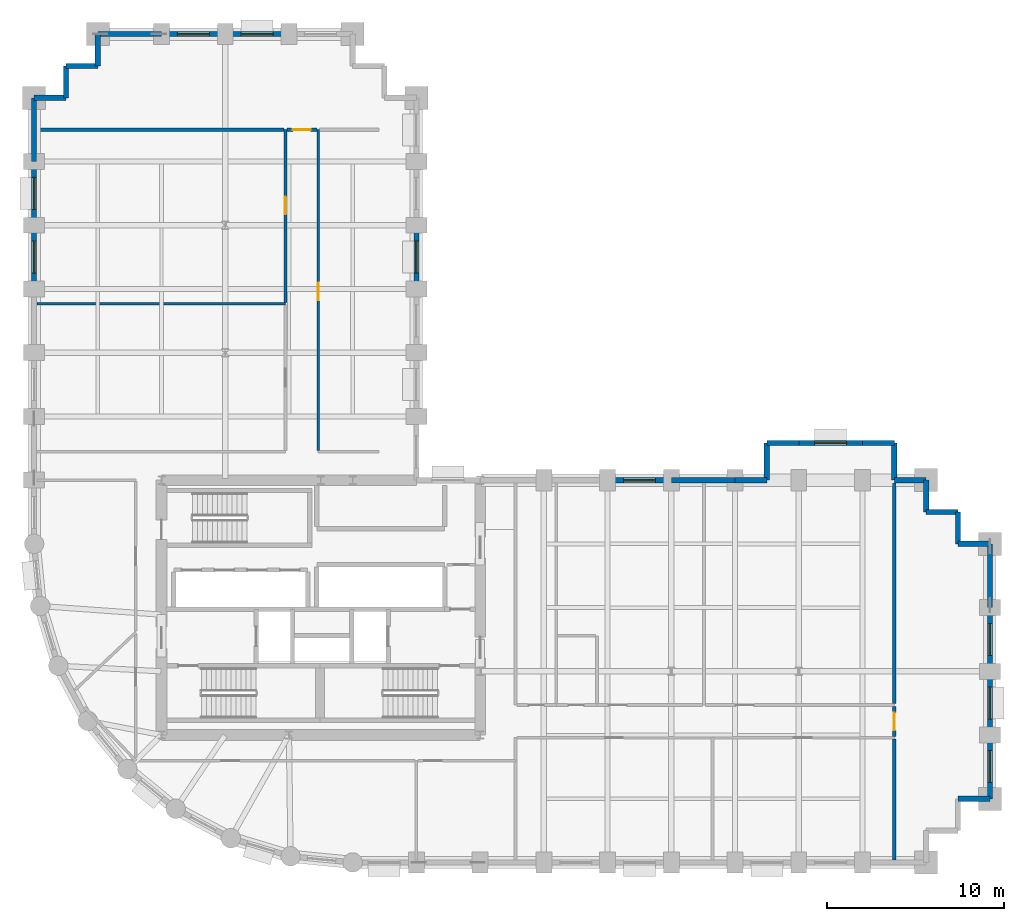
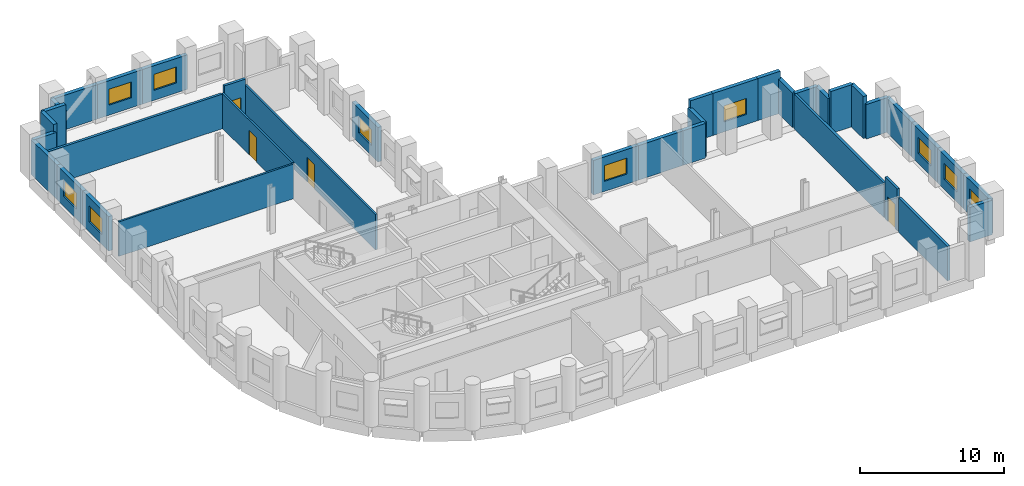
# One storey, part 6 of 9: 37 walls, 10 windows, 4 doors, 14 openings.
"""IFC4 building model written with IfcOpenShell, lengths in metres."""

from ifc_helpers import new_model, si_unit, direction, frame, frame_2d, origin, place, context, subcontext, project, spatial, rectangle, extrude, material, layer, layer_set, type_object, element, fill, save


model = new_model("IFC4")

# Units and contexts
model_context = context("Model", 3, precision=1e-05, world=origin(), true_north=direction((0.0, 1.0)))
body_context = subcontext(model_context, "Body", "Model", "MODEL_VIEW")
ifc_project = project(units=[si_unit("LENGTHUNIT", "METRE"), si_unit("AREAUNIT", "SQUARE_METRE"), si_unit("VOLUMEUNIT", "CUBIC_METRE"), si_unit("PLANEANGLEUNIT", "RADIAN"), si_unit("MASSUNIT", "GRAM", prefix="KILO")], contexts=[model_context])

# Site, building, storey
site_placement = place(None, origin())
site = spatial("IfcSite", under=ifc_project, at=site_placement, CompositionType="ELEMENT")
building_placement = place(site_placement, origin())
building = spatial("IfcBuilding", under=site, at=building_placement, Name="Solnavia Interchange Tower", CompositionType="ELEMENT")
storey_placement = place(building_placement, frame((0.0, 0.0, 70.800048828125)))
storey = spatial("IfcBuildingStorey", under=building, at=storey_placement, Name="L17", CompositionType="ELEMENT", Elevation=70.800048828125)

# Walls
ifc_material_1 = material(Name="Gypsum Acoustic Twin-Stud & Mineral Wool", Category="gypsum")
ifc_layer_1 = layer(ifc_material_1, 0.199951171875)
ifc_layer_set_1 = layer_set([ifc_layer_1], Name="Gypsum Acoustic Twin-Stud & Mineral Wool")
wall_type_1 = type_object("IfcWallType", Name="Wall-ApartmentParty-200", PredefinedType="PARTITIONING", material=ifc_layer_set_1)
wall_1_placement = place(storey_placement, frame((55.800048828125, 3.75390625, 0.0), z_axis=(0.0, 0.0, 1.0), x_axis=(0.0, 1.0, 0.0)))
element("IfcWall", 1, at=wall_1_placement, inside=storey, type_object=wall_type_1, Name="PTW-L17-22 Interior partition wall", PredefinedType="PARTITIONING", context=body_context, shape_type="SweptSolid", body=[
    extrude(rectangle(XDim=6.817138671875, YDim=0.199951171875, at=frame_2d((3.40869140625, 0.0))), origin(), (0.0, 0.0, 1.0), 2.929931640625),
])
wall_2_placement = place(storey_placement, frame((55.800048828125, 12.5791015625, 0.0), z_axis=(0.0, 0.0, 1.0), x_axis=(0.0, 1.0, 0.0)))
element("IfcWall", 2, at=wall_2_placement, inside=storey, type_object=wall_type_1, Name="PTW-L17-23 Interior partition wall", PredefinedType="PARTITIONING", context=body_context, shape_type="SweptSolid", body=[
    extrude(rectangle(XDim=12.466796875, YDim=0.199951171875, at=frame_2d((6.2333984375, 0.0))), origin(), (0.0, 0.0, 1.0), 2.929931640625),
])

# Wall, opening, door
wall_3_placement = place(storey_placement, frame((55.800048828125, 10.72900390625, 0.0), z_axis=(0.0, 0.0, 1.0), x_axis=(0.0, 1.0, 0.0)))
wall_3 = element("IfcWall", 3, at=wall_3_placement, inside=storey, type_object=wall_type_1, Name="PTW-L17-24 Interior partition wall", PredefinedType="PARTITIONING", context=body_context, shape_type="SweptSolid", body=[
    extrude(rectangle(XDim=1.69189453125, YDim=0.199951171875, at=frame_2d((0.845947265625, 0.0))), origin(), (0.0, 0.0, 1.0), 3.56494140625),
])
opening_1_placement = place(wall_3_placement, frame((0.339111328125, 0.0, 0.0)))
opening_1 = element("IfcOpeningElement", 4, at=opening_1_placement, cuts=wall_3, Name="Opening DR-06", PredefinedType="OPENING", context=body_context, shape_type="SweptSolid", body=[
    extrude(rectangle(XDim=1.0, YDim=2.10009765625, at=frame_2d((0.5, 1.050048828125))), frame((0.0, 0.10986328125, 0.0), z_axis=(0.0, -1.0, 0.0), x_axis=(1.0, 0.0, 0.0)), (0.0, 0.0, 1.0), 0.219970703125),
])
ifc_material_2 = material(Name="Engineered Timber Acoustic Fire Door", Category="wood")
door_type_1 = type_object("IfcDoorType", Name="Door-FlatEntry-1000x2100", OperationType="SINGLE_SWING_LEFT", PredefinedType="DOOR", material=ifc_material_2)
door_1_placement = place(opening_1_placement, origin())
door_1 = element("IfcDoor", 5, at=door_1_placement, inside=storey, type_object=door_type_1, Name="DR-L17-11 Interior room door", OperationType="SINGLE_SWING_RIGHT", OverallHeight=2.10009765625, OverallWidth=1.0, PredefinedType="DOOR", context=body_context, shape_type="SweptSolid", body=[
    extrude(rectangle(XDim=1.0, YDim=2.10009765625, at=frame_2d((0.5, 1.050048828125))), frame((0.0, 0.02490234375, 0.0), z_axis=(0.0, -1.0, 0.0), x_axis=(1.0, 0.0, 0.0)), (0.0, 0.0, 1.0), 0.050048828125),
])
fill(opening_1, door_1)

# Wall
wall_4_placement = place(storey_placement, frame((7.35400390625, 45.0, 0.0), z_axis=(0.0, 0.0, 1.0), x_axis=(1.0, 0.0, 0.0)))
element("IfcWall", 6, at=wall_4_placement, inside=storey, type_object=wall_type_1, Name="PTW-L17-31 Interior partition wall", PredefinedType="PARTITIONING", context=body_context, shape_type="SweptSolid", body=[
    extrude(rectangle(XDim=13.967041015625, YDim=0.199951171875, at=frame_2d((6.9833984375, 0.0))), origin(), (0.0, 0.0, 1.0), 2.929931640625),
])

# Wall, opening, door
wall_5_placement = place(storey_placement, frame((21.47900390625, 45.0, 0.0), z_axis=(0.0, 0.0, 1.0), x_axis=(1.0, 0.0, 0.0)))
wall_5 = element("IfcWall", 7, at=wall_5_placement, inside=storey, type_object=wall_type_1, Name="PTW-L17-33 Interior partition wall", PredefinedType="PARTITIONING", context=body_context, shape_type="SweptSolid", body=[
    extrude(rectangle(XDim=1.69189453125, YDim=0.199951171875, at=frame_2d((0.845947265625, 0.0))), origin(), (0.0, 0.0, 1.0), 3.56494140625),
])
opening_2_placement = place(wall_5_placement, frame((0.339111328125, 0.0, 0.0)))
opening_2 = element("IfcOpeningElement", 8, at=opening_2_placement, cuts=wall_5, Name="Opening DR-06", PredefinedType="OPENING", context=body_context, shape_type="SweptSolid", body=[
    extrude(rectangle(XDim=1.0, YDim=2.10009765625, at=frame_2d((0.5, 1.050048828125))), frame((0.0, 0.10986328125, 0.0), z_axis=(0.0, -1.0, 0.0), x_axis=(1.0, 0.0, 0.0)), (0.0, 0.0, 1.0), 0.219970703125),
])
door_2_placement = place(opening_2_placement, origin())
door_2 = element("IfcDoor", 9, at=door_2_placement, inside=storey, type_object=door_type_1, Name="DR-L17-15 Interior room door", OperationType="SINGLE_SWING_LEFT", OverallHeight=2.10009765625, OverallWidth=1.0, PredefinedType="DOOR", context=body_context, shape_type="SweptSolid", body=[
    extrude(rectangle(XDim=1.0, YDim=2.10009765625, at=frame_2d((0.5, 1.050048828125))), frame((0.0, 0.02490234375, 0.0), z_axis=(0.0, -1.0, 0.0), x_axis=(1.0, 0.0, 0.0)), (0.0, 0.0, 1.0), 0.050048828125),
])
fill(opening_2, door_2)

# Wall
ifc_material_3 = material(Name="Concrete C40/50", Category="concrete")
ifc_layer_2 = layer(ifc_material_3, 0.300048828125)
ifc_layer_set_2 = layer_set([ifc_layer_2], Name="Concrete C40/50")
wall_type_2 = type_object("IfcWallType", Name="Wall-ExtSpandrel-300", PredefinedType="STANDARD", material=ifc_layer_set_2)
wall_6_placement = place(storey_placement, frame((61.199951171875, 7.199951171875, 0.0), z_axis=(0.0, 0.0, 1.0), x_axis=(-1.0, 0.0, 0.0)))
element("IfcWall", 10, at=wall_6_placement, inside=storey, type_object=wall_type_2, Name="EXW-L17-13 Exterior precast spandrel wall", PredefinedType="STANDARD", context=body_context, shape_type="SweptSolid", body=[
    extrude(rectangle(XDim=1.800048828125, YDim=0.300048828125, at=frame_2d((0.89990234375, 0.0))), origin(), (0.0, 0.0, 1.0), 2.929931640625),
])

# Wall, opening, window
wall_7_placement = place(storey_placement, frame((61.199951171875, 10.800048828125, 0.0), z_axis=(0.0, 0.0, 1.0), x_axis=(0.0, -1.0, 0.0)))
wall_7 = element("IfcWall", 11, at=wall_7_placement, inside=storey, type_object=wall_type_2, Name="EXW-L17-14 Exterior precast spandrel wall", PredefinedType="STANDARD", context=body_context, shape_type="SweptSolid", body=[
    extrude(rectangle(XDim=3.60009765625, YDim=0.300048828125, at=frame_2d((1.800048828125, 0.0))), origin(), (0.0, 0.0, 1.0), 2.929931640625),
])
opening_3_placement = place(wall_7_placement, frame((0.875, 0.0, 0.85009765625)))
opening_3 = element("IfcOpeningElement", 12, at=opening_3_placement, cuts=wall_7, Name="Opening WIN-02", PredefinedType="OPENING", context=body_context, shape_type="SweptSolid", body=[
    extrude(rectangle(XDim=1.800048828125, YDim=1.35009765625, at=frame_2d((0.89990234375, 0.675048828125))), frame((0.0, 0.16015625, 0.0), z_axis=(0.0, -1.0, 0.0), x_axis=(1.0, 0.0, 0.0)), (0.0, 0.0, 1.0), 0.320068359375),
])
ifc_material_4 = material(Name="Thermal-Break Aluminium & Low-E Glass", Category="aluminium")
window_type = type_object("IfcWindowType", Name="Window-Ribbon-1800x1350", PartitioningType="SINGLE_PANEL", PredefinedType="WINDOW", material=ifc_material_4)
window_1_placement = place(opening_3_placement, origin())
window_1 = element("IfcWindow", 13, at=window_1_placement, inside=storey, type_object=window_type, Name="WIN-L17-14 Facade ribbon window", OverallHeight=1.35009765625, OverallWidth=1.800048828125, PartitioningType="SINGLE_PANEL", PredefinedType="WINDOW", context=body_context, shape_type="SweptSolid", body=[
    extrude(rectangle(XDim=1.800048828125, YDim=1.35009765625, at=frame_2d((0.89990234375, 0.675048828125))), frame((0.0, 0.030029296875, 0.0), z_axis=(0.0, -1.0, 0.0), x_axis=(1.0, 0.0, 0.0)), (0.0, 0.0, 1.0), 0.06005859375),
])
fill(opening_3, window_1)

wall_8_placement = place(storey_placement, frame((61.199951171875, 14.39990234375, 0.0), z_axis=(0.0, 0.0, 1.0), x_axis=(0.0, -1.0, 0.0)))
wall_8 = element("IfcWall", 14, at=wall_8_placement, inside=storey, type_object=wall_type_2, Name="EXW-L17-15 Exterior precast spandrel wall", PredefinedType="STANDARD", context=body_context, shape_type="SweptSolid", body=[
    extrude(rectangle(XDim=3.599853515625, YDim=0.300048828125, at=frame_2d((1.7998046875, 0.0))), origin(), (0.0, 0.0, 1.0), 2.929931640625),
])
opening_4_placement = place(wall_8_placement, frame((0.89990234375, 0.0, 0.85009765625)))
opening_4 = element("IfcOpeningElement", 15, at=opening_4_placement, cuts=wall_8, Name="Opening WIN-02", PredefinedType="OPENING", context=body_context, shape_type="SweptSolid", body=[
    extrude(rectangle(XDim=1.800048828125, YDim=1.35009765625, at=frame_2d((0.89990234375, 0.675048828125))), frame((0.0, 0.16015625, 0.0), z_axis=(0.0, -1.0, 0.0), x_axis=(1.0, 0.0, 0.0)), (0.0, 0.0, 1.0), 0.320068359375),
])
window_2_placement = place(opening_4_placement, origin())
window_2 = element("IfcWindow", 16, at=window_2_placement, inside=storey, type_object=window_type, Name="WIN-L17-15 Facade ribbon window", OverallHeight=1.35009765625, OverallWidth=1.800048828125, PartitioningType="SINGLE_PANEL", PredefinedType="WINDOW", context=body_context, shape_type="SweptSolid", body=[
    extrude(rectangle(XDim=1.800048828125, YDim=1.35009765625, at=frame_2d((0.89990234375, 0.675048828125))), frame((0.0, 0.030029296875, 0.0), z_axis=(0.0, -1.0, 0.0), x_axis=(1.0, 0.0, 0.0)), (0.0, 0.0, 1.0), 0.06005859375),
])
fill(opening_4, window_2)

wall_9_placement = place(storey_placement, frame((61.199951171875, 18.0, 0.0), z_axis=(0.0, 0.0, 1.0), x_axis=(0.0, -1.0, 0.0)))
wall_9 = element("IfcWall", 17, at=wall_9_placement, inside=storey, type_object=wall_type_2, Name="EXW-L17-16 Exterior precast spandrel wall", PredefinedType="STANDARD", context=body_context, shape_type="SweptSolid", body=[
    extrude(rectangle(XDim=3.60009765625, YDim=0.300048828125, at=frame_2d((1.800048828125, 0.0))), origin(), (0.0, 0.0, 1.0), 2.929931640625),
])
opening_5_placement = place(wall_9_placement, frame((0.89990234375, 0.0, 0.85009765625)))
opening_5 = element("IfcOpeningElement", 18, at=opening_5_placement, cuts=wall_9, Name="Opening WIN-02", PredefinedType="OPENING", context=body_context, shape_type="SweptSolid", body=[
    extrude(rectangle(XDim=1.800048828125, YDim=1.35009765625, at=frame_2d((0.89990234375, 0.675048828125))), frame((0.0, 0.16015625, 0.0), z_axis=(0.0, -1.0, 0.0), x_axis=(1.0, 0.0, 0.0)), (0.0, 0.0, 1.0), 0.320068359375),
])
window_3_placement = place(opening_5_placement, origin())
window_3 = element("IfcWindow", 19, at=window_3_placement, inside=storey, type_object=window_type, Name="WIN-L17-16 Facade ribbon window", OverallHeight=1.35009765625, OverallWidth=1.800048828125, PartitioningType="SINGLE_PANEL", PredefinedType="WINDOW", context=body_context, shape_type="SweptSolid", body=[
    extrude(rectangle(XDim=1.800048828125, YDim=1.35009765625, at=frame_2d((0.89990234375, 0.675048828125))), frame((0.0, 0.030029296875, 0.0), z_axis=(0.0, -1.0, 0.0), x_axis=(1.0, 0.0, 0.0)), (0.0, 0.0, 1.0), 0.06005859375),
])
fill(opening_5, window_3)

# Walls
wall_10_placement = place(storey_placement, frame((61.199951171875, 21.60009765625, 0.0), z_axis=(0.0, 0.0, 1.0), x_axis=(0.0, -1.0, 0.0)))
element("IfcWall", 20, at=wall_10_placement, inside=storey, type_object=wall_type_2, Name="EXW-L17-17 Exterior precast spandrel wall", PredefinedType="STANDARD", context=body_context, shape_type="SweptSolid", body=[
    extrude(rectangle(XDim=3.60009765625, YDim=0.300048828125, at=frame_2d((1.800048828125, 0.0))), origin(), (0.0, 0.0, 1.0), 2.929931640625),
])
wall_11_placement = place(storey_placement, frame((61.199951171875, 21.60009765625, 0.0), z_axis=(0.0, 0.0, 1.0), x_axis=(-1.0, 0.0, 0.0)))
element("IfcWall", 21, at=wall_11_placement, inside=storey, type_object=wall_type_2, Name="EXW-L17-18 Exterior precast spandrel wall", PredefinedType="STANDARD", context=body_context, shape_type="SweptSolid", body=[
    extrude(rectangle(XDim=1.800048828125, YDim=0.300048828125, at=frame_2d((0.89990234375, 0.0))), origin(), (0.0, 0.0, 1.0), 2.929931640625),
])
for number, where, z_axis, x_axis, name in (
    (22, (59.39990234375, 23.39990234375, 0.0), (0.0, 0.0, 1.0), (0.0, -1.0, 0.0), "EXW-L17-19 Exterior precast spandrel wall"),
    (23, (57.60009765625, 23.39990234375, 0.0), (0.0, 0.0, 1.0), (1.0, 0.0, 0.0), "EXW-L17-20 Exterior precast spandrel wall"),
):
    element("IfcWall", number, at=place(storey_placement, frame(where, z_axis=z_axis, x_axis=x_axis)), inside=storey, type_object=wall_type_2, Name=name, PredefinedType="STANDARD", context=body_context, shape_type="SweptSolid", body=[
        extrude(rectangle(XDim=1.7998046875, YDim=0.300048828125, at=frame_2d((0.89990234375, 0.0))), origin(), (0.0, 0.0, 1.0), 3.56494140625),
    ])
for number, where, z_axis, x_axis, name in (
    (24, (57.60009765625, 25.199951171875, 0.0), (0.0, 0.0, 1.0), (0.0, -1.0, 0.0), "EXW-L17-21 Exterior precast spandrel wall"),
    (25, (55.800048828125, 25.199951171875, 0.0), (0.0, 0.0, 1.0), (1.0, 0.0, 0.0), "EXW-L17-22 Exterior precast spandrel wall"),
):
    element("IfcWall", number, at=place(storey_placement, frame(where, z_axis=z_axis, x_axis=x_axis)), inside=storey, type_object=wall_type_2, Name=name, PredefinedType="STANDARD", context=body_context, shape_type="SweptSolid", body=[
        extrude(rectangle(XDim=1.800048828125, YDim=0.300048828125, at=frame_2d((0.89990234375, 0.0))), origin(), (0.0, 0.0, 1.0), 2.929931640625),
    ])
wall_12_placement = place(storey_placement, frame((55.800048828125, 27.300048828125, 0.0), z_axis=(0.0, 0.0, 1.0), x_axis=(0.0, -1.0, 0.0)))
element("IfcWall", 26, at=wall_12_placement, inside=storey, type_object=wall_type_2, Name="EXW-L17-23 Exterior precast spandrel wall", PredefinedType="STANDARD", context=body_context, shape_type="SweptSolid", body=[
    extrude(rectangle(XDim=2.10009765625, YDim=0.300048828125, at=frame_2d((1.050048828125, 0.0))), origin(), (0.0, 0.0, 1.0), 2.929931640625),
])
wall_13_placement = place(storey_placement, frame((54.0, 27.300048828125, 0.0), z_axis=(0.0, 0.0, 1.0), x_axis=(1.0, 0.0, 0.0)))
element("IfcWall", 27, at=wall_13_placement, inside=storey, type_object=wall_type_2, Name="EXW-L17-24 Exterior precast spandrel wall", PredefinedType="STANDARD", context=body_context, shape_type="SweptSolid", body=[
    extrude(rectangle(XDim=1.800048828125, YDim=0.300048828125, at=frame_2d((0.89990234375, 0.0))), origin(), (0.0, 0.0, 1.0), 3.56494140625),
])

# Wall, opening, window
wall_14_placement = place(storey_placement, frame((50.39990234375, 27.300048828125, 0.0), z_axis=(0.0, 0.0, 1.0), x_axis=(1.0, 0.0, 0.0)))
wall_14 = element("IfcWall", 28, at=wall_14_placement, inside=storey, type_object=wall_type_2, Name="EXW-L17-25 Exterior precast spandrel wall", PredefinedType="STANDARD", context=body_context, shape_type="SweptSolid", body=[
    extrude(rectangle(XDim=3.60009765625, YDim=0.300048828125, at=frame_2d((1.800048828125, 0.0))), origin(), (0.0, 0.0, 1.0), 3.56494140625),
])
opening_6_placement = place(wall_14_placement, frame((0.89990234375, 0.0, 0.85009765625)))
opening_6 = element("IfcOpeningElement", 29, at=opening_6_placement, cuts=wall_14, Name="Opening WIN-02", PredefinedType="OPENING", context=body_context, shape_type="SweptSolid", body=[
    extrude(rectangle(XDim=1.800048828125, YDim=1.35009765625, at=frame_2d((0.89990234375, 0.675048828125))), frame((0.0, 0.16015625, 0.0), z_axis=(0.0, -1.0, 0.0), x_axis=(1.0, 0.0, 0.0)), (0.0, 0.0, 1.0), 0.320068359375),
])
window_4_placement = place(opening_6_placement, origin())
window_4 = element("IfcWindow", 30, at=window_4_placement, inside=storey, type_object=window_type, Name="WIN-L17-25 Facade ribbon window", OverallHeight=1.35009765625, OverallWidth=1.800048828125, PartitioningType="SINGLE_PANEL", PredefinedType="WINDOW", context=body_context, shape_type="SweptSolid", body=[
    extrude(rectangle(XDim=1.800048828125, YDim=1.35009765625, at=frame_2d((0.89990234375, 0.675048828125))), frame((0.0, 0.030029296875, 0.0), z_axis=(0.0, -1.0, 0.0), x_axis=(1.0, 0.0, 0.0)), (0.0, 0.0, 1.0), 0.06005859375),
])
fill(opening_6, window_4)

# Walls
wall_15_placement = place(storey_placement, frame((48.60009765625, 27.300048828125, 0.0), z_axis=(0.0, 0.0, 1.0), x_axis=(1.0, 0.0, 0.0)))
element("IfcWall", 31, at=wall_15_placement, inside=storey, type_object=wall_type_2, Name="EXW-L17-26 Exterior precast spandrel wall", PredefinedType="STANDARD", context=body_context, shape_type="SweptSolid", body=[
    extrude(rectangle(XDim=1.7998046875, YDim=0.300048828125, at=frame_2d((0.89990234375, 0.0))), origin(), (0.0, 0.0, 1.0), 3.56494140625),
])
wall_16_placement = place(storey_placement, frame((48.60009765625, 27.300048828125, 0.0), z_axis=(0.0, 0.0, 1.0), x_axis=(0.0, -1.0, 0.0)))
element("IfcWall", 32, at=wall_16_placement, inside=storey, type_object=wall_type_2, Name="EXW-L17-27 Exterior precast spandrel wall", PredefinedType="STANDARD", context=body_context, shape_type="SweptSolid", body=[
    extrude(rectangle(XDim=2.10009765625, YDim=0.300048828125, at=frame_2d((1.050048828125, 0.0))), origin(), (0.0, 0.0, 1.0), 2.929931640625),
])
wall_17_placement = place(storey_placement, frame((46.800048828125, 25.199951171875, 0.0), z_axis=(0.0, 0.0, 1.0), x_axis=(1.0, 0.0, 0.0)))
element("IfcWall", 33, at=wall_17_placement, inside=storey, type_object=wall_type_2, Name="EXW-L17-28 Exterior precast spandrel wall", PredefinedType="STANDARD", context=body_context, shape_type="SweptSolid", body=[
    extrude(rectangle(XDim=1.800048828125, YDim=0.300048828125, at=frame_2d((0.89990234375, 0.0))), origin(), (0.0, 0.0, 1.0), 2.929931640625),
])
wall_18_placement = place(storey_placement, frame((43.199951171875, 25.199951171875, 0.0), z_axis=(0.0, 0.0, 1.0), x_axis=(1.0, 0.0, 0.0)))
element("IfcWall", 34, at=wall_18_placement, inside=storey, type_object=wall_type_2, Name="EXW-L17-29 Exterior precast spandrel wall", PredefinedType="STANDARD", context=body_context, shape_type="SweptSolid", body=[
    extrude(rectangle(XDim=3.60009765625, YDim=0.300048828125, at=frame_2d((1.800048828125, 0.0))), origin(), (0.0, 0.0, 1.0), 2.929931640625),
])

# Wall, opening, window
wall_19_placement = place(storey_placement, frame((39.60009765625, 25.199951171875, 0.0), z_axis=(0.0, 0.0, 1.0), x_axis=(1.0, 0.0, 0.0)))
wall_19 = element("IfcWall", 35, at=wall_19_placement, inside=storey, type_object=wall_type_2, Name="EXW-L17-30 Exterior precast spandrel wall", PredefinedType="STANDARD", context=body_context, shape_type="SweptSolid", body=[
    extrude(rectangle(XDim=3.599853515625, YDim=0.300048828125, at=frame_2d((1.7998046875, 0.0))), origin(), (0.0, 0.0, 1.0), 2.929931640625),
])
opening_7_placement = place(wall_19_placement, frame((0.89990234375, 0.0, 0.85009765625)))
opening_7 = element("IfcOpeningElement", 36, at=opening_7_placement, cuts=wall_19, Name="Opening WIN-02", PredefinedType="OPENING", context=body_context, shape_type="SweptSolid", body=[
    extrude(rectangle(XDim=1.800048828125, YDim=1.35009765625, at=frame_2d((0.89990234375, 0.675048828125))), frame((0.0, 0.16015625, 0.0), z_axis=(0.0, -1.0, 0.0), x_axis=(1.0, 0.0, 0.0)), (0.0, 0.0, 1.0), 0.320068359375),
])
window_5_placement = place(opening_7_placement, origin())
window_5 = element("IfcWindow", 37, at=window_5_placement, inside=storey, type_object=window_type, Name="WIN-L17-30 Facade ribbon window", OverallHeight=1.35009765625, OverallWidth=1.800048828125, PartitioningType="SINGLE_PANEL", PredefinedType="WINDOW", context=body_context, shape_type="SweptSolid", body=[
    extrude(rectangle(XDim=1.800048828125, YDim=1.35009765625, at=frame_2d((0.89990234375, 0.675048828125))), frame((0.0, 0.030029296875, 0.0), z_axis=(0.0, -1.0, 0.0), x_axis=(1.0, 0.0, 0.0)), (0.0, 0.0, 1.0), 0.06005859375),
])
fill(opening_7, window_5)

wall_20_placement = place(storey_placement, frame((28.800048828125, 36.0, 0.0), z_axis=(0.0, 0.0, 1.0), x_axis=(0.0, 1.0, 0.0)))
wall_20 = element("IfcWall", 38, at=wall_20_placement, inside=storey, type_object=wall_type_2, Name="EXW-L17-37 Exterior precast spandrel wall", PredefinedType="STANDARD", context=body_context, shape_type="SweptSolid", body=[
    extrude(rectangle(XDim=3.60009765625, YDim=0.300048828125, at=frame_2d((1.800048828125, 0.0))), origin(), (0.0, 0.0, 1.0), 2.929931640625),
])
opening_8_placement = place(wall_20_placement, frame((0.89990234375, 0.0, 0.85009765625)))
opening_8 = element("IfcOpeningElement", 39, at=opening_8_placement, cuts=wall_20, Name="Opening WIN-02", PredefinedType="OPENING", context=body_context, shape_type="SweptSolid", body=[
    extrude(rectangle(XDim=1.800048828125, YDim=1.35009765625, at=frame_2d((0.89990234375, 0.675048828125))), frame((0.0, 0.16015625, 0.0), z_axis=(0.0, -1.0, 0.0), x_axis=(1.0, 0.0, 0.0)), (0.0, 0.0, 1.0), 0.320068359375),
])
window_6_placement = place(opening_8_placement, origin())
window_6 = element("IfcWindow", 40, at=window_6_placement, inside=storey, type_object=window_type, Name="WIN-L17-37 Facade ribbon window", OverallHeight=1.35009765625, OverallWidth=1.800048828125, PartitioningType="SINGLE_PANEL", PredefinedType="WINDOW", context=body_context, shape_type="SweptSolid", body=[
    extrude(rectangle(XDim=1.800048828125, YDim=1.35009765625, at=frame_2d((0.89990234375, 0.675048828125))), frame((0.0, 0.030029296875, 0.0), z_axis=(0.0, -1.0, 0.0), x_axis=(1.0, 0.0, 0.0)), (0.0, 0.0, 1.0), 0.06005859375),
])
fill(opening_8, window_6)

wall_21_placement = place(storey_placement, frame((18.0, 50.39990234375, 0.0), z_axis=(0.0, 0.0, 1.0), x_axis=(1.0, 0.0, 0.0)))
wall_21 = element("IfcWall", 41, at=wall_21_placement, inside=storey, type_object=wall_type_2, Name="EXW-L17-45 Exterior precast spandrel wall", PredefinedType="STANDARD", context=body_context, shape_type="SweptSolid", body=[
    extrude(rectangle(XDim=3.60009765625, YDim=0.300048828125, at=frame_2d((1.800048828125, 0.0))), origin(), (0.0, 0.0, 1.0), 2.929931640625),
])
opening_9_placement = place(wall_21_placement, frame((0.89990234375, 0.0, 0.85009765625)))
opening_9 = element("IfcOpeningElement", 42, at=opening_9_placement, cuts=wall_21, Name="Opening WIN-02", PredefinedType="OPENING", context=body_context, shape_type="SweptSolid", body=[
    extrude(rectangle(XDim=1.800048828125, YDim=1.35009765625, at=frame_2d((0.89990234375, 0.675048828125))), frame((0.0, 0.16015625, 0.0), z_axis=(0.0, -1.0, 0.0), x_axis=(1.0, 0.0, 0.0)), (0.0, 0.0, 1.0), 0.320068359375),
])
window_7_placement = place(opening_9_placement, origin())
window_7 = element("IfcWindow", 43, at=window_7_placement, inside=storey, type_object=window_type, Name="WIN-L17-45 Facade ribbon window", OverallHeight=1.35009765625, OverallWidth=1.800048828125, PartitioningType="SINGLE_PANEL", PredefinedType="WINDOW", context=body_context, shape_type="SweptSolid", body=[
    extrude(rectangle(XDim=1.800048828125, YDim=1.35009765625, at=frame_2d((0.89990234375, 0.675048828125))), frame((0.0, 0.030029296875, 0.0), z_axis=(0.0, -1.0, 0.0), x_axis=(1.0, 0.0, 0.0)), (0.0, 0.0, 1.0), 0.06005859375),
])
fill(opening_9, window_7)

wall_22_placement = place(storey_placement, frame((14.39990234375, 50.39990234375, 0.0), z_axis=(0.0, 0.0, 1.0), x_axis=(1.0, 0.0, 0.0)))
wall_22 = element("IfcWall", 44, at=wall_22_placement, inside=storey, type_object=wall_type_2, Name="EXW-L17-46 Exterior precast spandrel wall", PredefinedType="STANDARD", context=body_context, shape_type="SweptSolid", body=[
    extrude(rectangle(XDim=3.60009765625, YDim=0.300048828125, at=frame_2d((1.800048828125, 0.0))), origin(), (0.0, 0.0, 1.0), 2.929931640625),
])
opening_10_placement = place(wall_22_placement, frame((0.89990234375, 0.0, 0.85009765625)))
opening_10 = element("IfcOpeningElement", 45, at=opening_10_placement, cuts=wall_22, Name="Opening WIN-02", PredefinedType="OPENING", context=body_context, shape_type="SweptSolid", body=[
    extrude(rectangle(XDim=1.800048828125, YDim=1.35009765625, at=frame_2d((0.89990234375, 0.675048828125))), frame((0.0, 0.16015625, 0.0), z_axis=(0.0, -1.0, 0.0), x_axis=(1.0, 0.0, 0.0)), (0.0, 0.0, 1.0), 0.320068359375),
])
window_8_placement = place(opening_10_placement, origin())
window_8 = element("IfcWindow", 46, at=window_8_placement, inside=storey, type_object=window_type, Name="WIN-L17-46 Facade ribbon window", OverallHeight=1.35009765625, OverallWidth=1.800048828125, PartitioningType="SINGLE_PANEL", PredefinedType="WINDOW", context=body_context, shape_type="SweptSolid", body=[
    extrude(rectangle(XDim=1.800048828125, YDim=1.35009765625, at=frame_2d((0.89990234375, 0.675048828125))), frame((0.0, 0.030029296875, 0.0), z_axis=(0.0, -1.0, 0.0), x_axis=(1.0, 0.0, 0.0)), (0.0, 0.0, 1.0), 0.06005859375),
])
fill(opening_10, window_8)

# Walls
wall_23_placement = place(storey_placement, frame((10.800048828125, 50.39990234375, 0.0), z_axis=(0.0, 0.0, 1.0), x_axis=(1.0, 0.0, 0.0)))
element("IfcWall", 47, at=wall_23_placement, inside=storey, type_object=wall_type_2, Name="EXW-L17-47 Exterior precast spandrel wall", PredefinedType="STANDARD", context=body_context, shape_type="SweptSolid", body=[
    extrude(rectangle(XDim=3.599853515625, YDim=0.300048828125, at=frame_2d((1.7998046875, 0.0))), origin(), (0.0, 0.0, 1.0), 2.929931640625),
])
wall_24_placement = place(storey_placement, frame((10.800048828125, 48.60009765625, 0.0), z_axis=(0.0, 0.0, 1.0), x_axis=(0.0, 1.0, 0.0)))
element("IfcWall", 48, at=wall_24_placement, inside=storey, type_object=wall_type_2, Name="EXW-L17-48 Exterior precast spandrel wall", PredefinedType="STANDARD", context=body_context, shape_type="SweptSolid", body=[
    extrude(rectangle(XDim=1.7998046875, YDim=0.300048828125, at=frame_2d((0.89990234375, 0.0))), origin(), (0.0, 0.0, 1.0), 2.929931640625),
])
for number, where, z_axis, x_axis, name in (
    (49, (9.0, 48.60009765625, 0.0), (0.0, 0.0, 1.0), (1.0, 0.0, 0.0), "EXW-L17-49 Exterior precast spandrel wall"),
    (50, (9.0, 46.800048828125, 0.0), (0.0, 0.0, 1.0), (0.0, 1.0, 0.0), "EXW-L17-50 Exterior precast spandrel wall"),
):
    element("IfcWall", number, at=place(storey_placement, frame(where, z_axis=z_axis, x_axis=x_axis)), inside=storey, type_object=wall_type_2, Name=name, PredefinedType="STANDARD", context=body_context, shape_type="SweptSolid", body=[
        extrude(rectangle(XDim=1.800048828125, YDim=0.300048828125, at=frame_2d((0.89990234375, 0.0))), origin(), (0.0, 0.0, 1.0), 3.56494140625),
    ])
wall_25_placement = place(storey_placement, frame((7.199951171875, 46.800048828125, 0.0), z_axis=(0.0, 0.0, 1.0), x_axis=(1.0, 0.0, 0.0)))
element("IfcWall", 51, at=wall_25_placement, inside=storey, type_object=wall_type_2, Name="EXW-L17-51 Exterior precast spandrel wall", PredefinedType="STANDARD", context=body_context, shape_type="SweptSolid", body=[
    extrude(rectangle(XDim=1.800048828125, YDim=0.300048828125, at=frame_2d((0.89990234375, 0.0))), origin(), (0.0, 0.0, 1.0), 2.929931640625),
])
wall_26_placement = place(storey_placement, frame((7.199951171875, 43.199951171875, 0.0), z_axis=(0.0, 0.0, 1.0), x_axis=(0.0, 1.0, 0.0)))
element("IfcWall", 52, at=wall_26_placement, inside=storey, type_object=wall_type_2, Name="EXW-L17-52 Exterior precast spandrel wall", PredefinedType="STANDARD", context=body_context, shape_type="SweptSolid", body=[
    extrude(rectangle(XDim=3.60009765625, YDim=0.300048828125, at=frame_2d((1.800048828125, 0.0))), origin(), (0.0, 0.0, 1.0), 2.929931640625),
])

# Wall, opening, window
wall_27_placement = place(storey_placement, frame((7.199951171875, 39.60009765625, 0.0), z_axis=(0.0, 0.0, 1.0), x_axis=(0.0, 1.0, 0.0)))
wall_27 = element("IfcWall", 53, at=wall_27_placement, inside=storey, type_object=wall_type_2, Name="EXW-L17-53 Exterior precast spandrel wall", PredefinedType="STANDARD", context=body_context, shape_type="SweptSolid", body=[
    extrude(rectangle(XDim=3.599853515625, YDim=0.300048828125, at=frame_2d((1.7998046875, 0.0))), origin(), (0.0, 0.0, 1.0), 2.929931640625),
])
opening_11_placement = place(wall_27_placement, frame((0.89990234375, 0.0, 0.85009765625)))
opening_11 = element("IfcOpeningElement", 54, at=opening_11_placement, cuts=wall_27, Name="Opening WIN-02", PredefinedType="OPENING", context=body_context, shape_type="SweptSolid", body=[
    extrude(rectangle(XDim=1.800048828125, YDim=1.35009765625, at=frame_2d((0.89990234375, 0.675048828125))), frame((0.0, 0.16015625, 0.0), z_axis=(0.0, -1.0, 0.0), x_axis=(1.0, 0.0, 0.0)), (0.0, 0.0, 1.0), 0.320068359375),
])
window_9_placement = place(opening_11_placement, origin())
window_9 = element("IfcWindow", 55, at=window_9_placement, inside=storey, type_object=window_type, Name="WIN-L17-53 Facade ribbon window", OverallHeight=1.35009765625, OverallWidth=1.800048828125, PartitioningType="SINGLE_PANEL", PredefinedType="WINDOW", context=body_context, shape_type="SweptSolid", body=[
    extrude(rectangle(XDim=1.800048828125, YDim=1.35009765625, at=frame_2d((0.89990234375, 0.675048828125))), frame((0.0, 0.030029296875, 0.0), z_axis=(0.0, -1.0, 0.0), x_axis=(1.0, 0.0, 0.0)), (0.0, 0.0, 1.0), 0.06005859375),
])
fill(opening_11, window_9)

wall_28_placement = place(storey_placement, frame((7.199951171875, 36.0, 0.0), z_axis=(0.0, 0.0, 1.0), x_axis=(0.0, 1.0, 0.0)))
wall_28 = element("IfcWall", 56, at=wall_28_placement, inside=storey, type_object=wall_type_2, Name="EXW-L17-54 Exterior precast spandrel wall", PredefinedType="STANDARD", context=body_context, shape_type="SweptSolid", body=[
    extrude(rectangle(XDim=3.60009765625, YDim=0.300048828125, at=frame_2d((1.800048828125, 0.0))), origin(), (0.0, 0.0, 1.0), 2.929931640625),
])
opening_12_placement = place(wall_28_placement, frame((0.89990234375, 0.0, 0.85009765625)))
opening_12 = element("IfcOpeningElement", 57, at=opening_12_placement, cuts=wall_28, Name="Opening WIN-02", PredefinedType="OPENING", context=body_context, shape_type="SweptSolid", body=[
    extrude(rectangle(XDim=1.800048828125, YDim=1.35009765625, at=frame_2d((0.89990234375, 0.675048828125))), frame((0.0, 0.16015625, 0.0), z_axis=(0.0, -1.0, 0.0), x_axis=(1.0, 0.0, 0.0)), (0.0, 0.0, 1.0), 0.320068359375),
])
window_10_placement = place(opening_12_placement, origin())
window_10 = element("IfcWindow", 58, at=window_10_placement, inside=storey, type_object=window_type, Name="WIN-L17-54 Facade ribbon window", OverallHeight=1.35009765625, OverallWidth=1.800048828125, PartitioningType="SINGLE_PANEL", PredefinedType="WINDOW", context=body_context, shape_type="SweptSolid", body=[
    extrude(rectangle(XDim=1.800048828125, YDim=1.35009765625, at=frame_2d((0.89990234375, 0.675048828125))), frame((0.0, 0.030029296875, 0.0), z_axis=(0.0, -1.0, 0.0), x_axis=(1.0, 0.0, 0.0)), (0.0, 0.0, 1.0), 0.06005859375),
])
fill(opening_12, window_10)

# Wall
ifc_material_5 = material(Name="Gypsum Plasterboard & Steel Stud", Category="steel")
ifc_layer_3 = layer(ifc_material_5, 0.14990234375)
ifc_layer_set_3 = layer_set([ifc_layer_3], Name="Gypsum Plasterboard & Steel Stud")
wall_type_3 = type_object("IfcWallType", Name="Wall-Partition-150", PredefinedType="PARTITIONING", material=ifc_layer_set_3)
wall_29_placement = place(storey_placement, frame((7.35400390625, 35.169921875, 0.0), z_axis=(0.0, 0.0, 1.0), x_axis=(1.0, 0.0, 0.0)))
element("IfcWall", 59, at=wall_29_placement, inside=storey, type_object=wall_type_3, Name="PTW-L17-26 Interior partition wall", PredefinedType="PARTITIONING", context=body_context, shape_type="SweptSolid", body=[
    extrude(rectangle(XDim=14.0458984375, YDim=0.14990234375, at=frame_2d((7.02294921875, 0.0))), origin(), (0.0, 0.0, 1.0), 2.929931640625),
])

# Wall, opening, door
wall_30_placement = place(storey_placement, frame((21.39990234375, 35.2490234375, 0.0), z_axis=(0.0, 0.0, 1.0), x_axis=(0.0, 1.0, 0.0)))
wall_30 = element("IfcWall", 60, at=wall_30_placement, inside=storey, type_object=wall_type_3, Name="PTW-L17-28 Interior partition wall", PredefinedType="PARTITIONING", context=body_context, shape_type="SweptSolid", body=[
    extrude(rectangle(XDim=9.7509765625, YDim=0.14990234375, at=frame_2d((4.87548828125, 0.0))), origin(), (0.0, 0.0, 1.0), 2.9599609375),
])
opening_13_placement = place(wall_30_placement, frame((4.971923828125, 0.0, 0.0)))
opening_13 = element("IfcOpeningElement", 61, at=opening_13_placement, cuts=wall_30, Name="Opening DR-07", PredefinedType="OPENING", context=body_context, shape_type="SweptSolid", body=[
    extrude(rectangle(XDim=1.0, YDim=2.10009765625, at=frame_2d((0.5, 1.050048828125))), frame((0.0, 0.0849609375, 0.0), z_axis=(0.0, -1.0, 0.0), x_axis=(1.0, 0.0, 0.0)), (0.0, 0.0, 1.0), 0.169921875),
])
ifc_material_6 = material(Name="Timber & Acoustic Glazed Office Door", Category="wood")
door_type_2 = type_object("IfcDoorType", Name="Door-Office-1000x2100", OperationType="SINGLE_SWING_RIGHT", PredefinedType="DOOR", material=ifc_material_6)
door_3_placement = place(opening_13_placement, origin())
door_3 = element("IfcDoor", 62, at=door_3_placement, inside=storey, type_object=door_type_2, Name="DR-L17-13 Interior room door", OperationType="SINGLE_SWING_RIGHT", OverallHeight=2.10009765625, OverallWidth=1.0, PredefinedType="DOOR", context=body_context, shape_type="SweptSolid", body=[
    extrude(rectangle(XDim=1.0, YDim=2.10009765625, at=frame_2d((0.5, 1.050048828125))), frame((0.0, 0.02490234375, 0.0), z_axis=(0.0, -1.0, 0.0), x_axis=(1.0, 0.0, 0.0)), (0.0, 0.0, 1.0), 0.050048828125),
])
fill(opening_13, door_3)

wall_31_placement = place(storey_placement, frame((23.25, 26.87890625, 0.0), z_axis=(0.0, 0.0, 1.0), x_axis=(0.0, 1.0, 0.0)))
wall_31 = element("IfcWall", 63, at=wall_31_placement, inside=storey, type_object=wall_type_3, Name="PTW-L17-30 Interior partition wall", PredefinedType="PARTITIONING", context=body_context, shape_type="SweptSolid", body=[
    extrude(rectangle(XDim=18.12109375, YDim=0.14990234375, at=frame_2d((9.060546875, 0.0))), origin(), (0.0, 0.0, 1.0), 3.010009765625),
])
opening_14_placement = place(wall_31_placement, frame((8.48095703125, 0.0, 0.0)))
opening_14 = element("IfcOpeningElement", 64, at=opening_14_placement, cuts=wall_31, Name="Opening DR-07", PredefinedType="OPENING", context=body_context, shape_type="SweptSolid", body=[
    extrude(rectangle(XDim=1.0, YDim=2.10009765625, at=frame_2d((0.5, 1.050048828125))), frame((0.0, 0.0849609375, 0.0), z_axis=(0.0, -1.0, 0.0), x_axis=(1.0, 0.0, 0.0)), (0.0, 0.0, 1.0), 0.169921875),
])
door_4_placement = place(opening_14_placement, origin())
door_4 = element("IfcDoor", 65, at=door_4_placement, inside=storey, type_object=door_type_2, Name="DR-L17-14 Interior room door", OperationType="SINGLE_SWING_LEFT", OverallHeight=2.10009765625, OverallWidth=1.0, PredefinedType="DOOR", context=body_context, shape_type="SweptSolid", body=[
    extrude(rectangle(XDim=1.0, YDim=2.10009765625, at=frame_2d((0.5, 1.050048828125))), frame((0.0, 0.02490234375, 0.0), z_axis=(0.0, -1.0, 0.0), x_axis=(1.0, 0.0, 0.0)), (0.0, 0.0, 1.0), 0.050048828125),
])
fill(opening_14, door_4)

save(model, "model.ifc")
